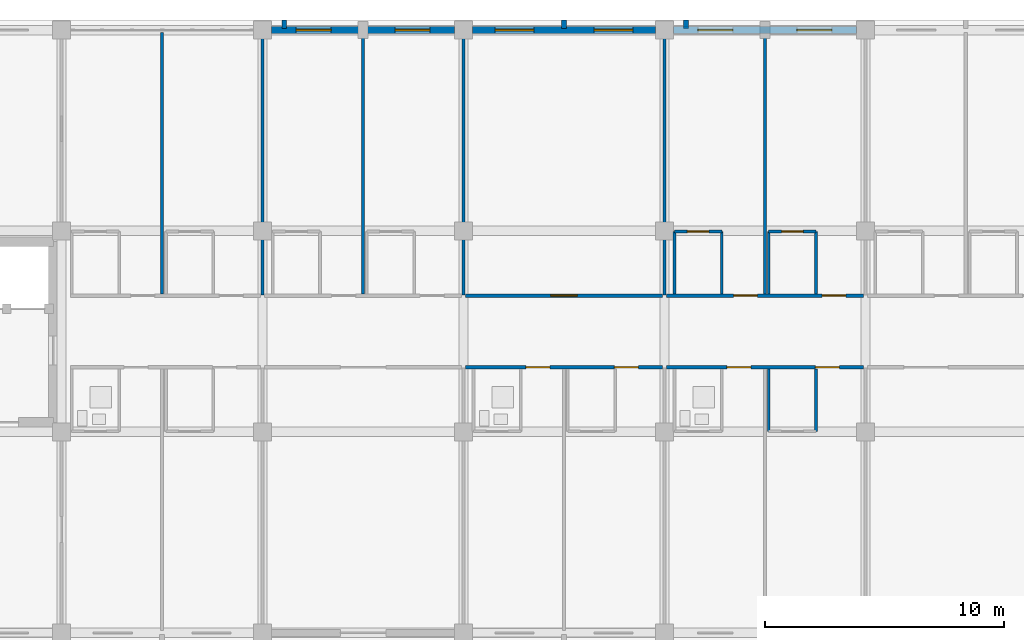
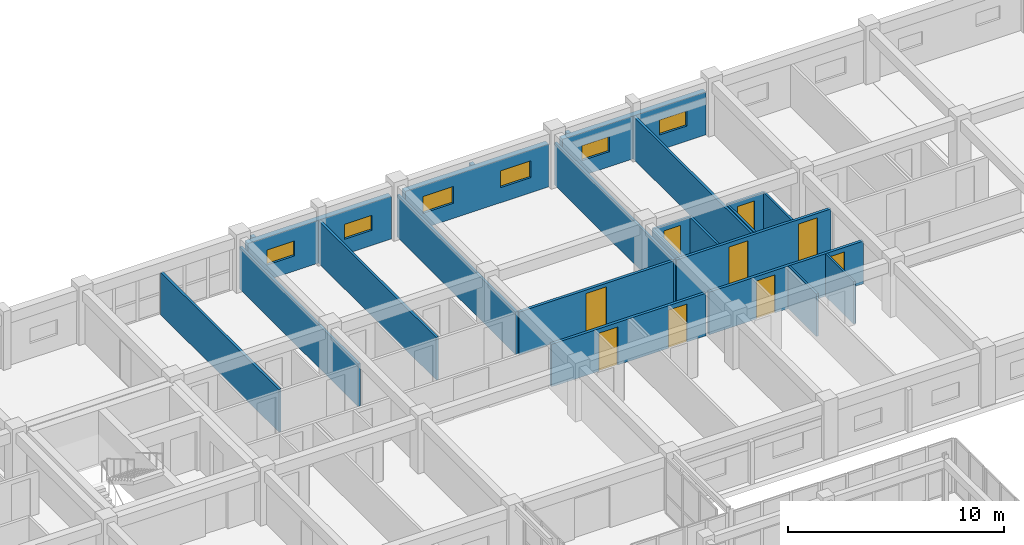
# One storey, part 180 of 200: 24 walls, 9 doors, 6 windows, 15 openings.
"""IFC4 building model written with IfcOpenShell, lengths in metres."""

import ifcopenshell
import ifcopenshell.guid

model = None  # the IFC model being written
_history = None  # IfcOwnerHistory: only IFC2X3 demands one
_inside = {}  # id of a spatial element -> (the spatial element, [elements in it])
_under = {}  # id of a project, library or spatial element -> (it, [spatial elements below it])
_declared = {}  # id of a project -> (the project, [libraries it declares])
_typed = {}  # id of a type object -> (the type object, [elements of that type])
_made_of = {}  # id of a material, layer set ... -> (it, [elements and type objects made of it])


def new_model(schema):
    """Start an empty IFC model of exactly this schema.

    Asked for "IFC4X3", IfcOpenShell would pick the latest addendum, in which some entities
    have other attributes; the version numbers below select the first issue.
    IFC2X3 requires an IfcOwnerHistory on every rooted entity: one is made here for all.
    """
    global model, _history
    if schema == "IFC4X3":
        model = ifcopenshell.file(schema_version=(4, 3, 0, 0))
    else:
        model = ifcopenshell.file(schema=schema)
    _inside.clear()
    _under.clear()
    _declared.clear()
    _typed.clear()
    _made_of.clear()
    _history = None
    if model.schema == "IFC2X3":
        org = make("IfcOrganization", Name="unknown")
        user = make(
            "IfcPersonAndOrganization",
            ThePerson=make("IfcPerson", FamilyName="unknown"),
            TheOrganization=org,
        )
        app = make(
            "IfcApplication",
            ApplicationDeveloper=org,
            Version="unknown",
            ApplicationFullName="unknown",
            ApplicationIdentifier="unknown",
        )
        _history = make(
            "IfcOwnerHistory",
            OwningUser=user,
            OwningApplication=app,
            ChangeAction="ADDED",
            CreationDate=0,
        )
    return model


def make(cls, **values):
    """One entity of the class cls with the attributes given. An attribute that is None is left unset."""
    return model.create_entity(
        cls, **{name: value for name, value in values.items() if value is not None}
    )


def rooted(cls, **values):
    """An entity with a GlobalId (a new one), such as an element, a storey or a relation."""
    return make(cls, GlobalId=ifcopenshell.guid.new(), OwnerHistory=_history, **values)


def si_unit(unit_type, name, prefix=None):
    """IfcSIUnit, for example si_unit("LENGTHUNIT", "METRE", prefix="MILLI")."""
    return make("IfcSIUnit", UnitType=unit_type, Prefix=prefix, Name=name)


def assignment(units):
    """IfcUnitAssignment: the units of a project."""
    return None if units is None else make("IfcUnitAssignment", Units=units)


def point(xyz):
    """IfcCartesianPoint."""
    return None if xyz is None else make("IfcCartesianPoint", Coordinates=xyz)


def direction(xyz):
    """IfcDirection."""
    return None if xyz is None else make("IfcDirection", DirectionRatios=xyz)


def frame(location, z_axis=None, x_axis=None):
    """IfcAxis2Placement3D, a coordinate frame: its origin and axes. An axis left out is left unset."""
    return make(
        "IfcAxis2Placement3D",
        Location=point(location),
        Axis=direction(z_axis),
        RefDirection=direction(x_axis),
    )


def frame_2d(location, x_axis=None):
    """IfcAxis2Placement2D, a coordinate frame in the plane: its origin and x axis."""
    return make(
        "IfcAxis2Placement2D", Location=point(location), RefDirection=direction(x_axis)
    )


def origin():
    """The frame at (0, 0, 0) with its axes left unset."""
    return frame((0.0, 0.0, 0.0))


def place(relative_to, where):
    """IfcLocalPlacement: puts the frame where relative to a parent placement (None: the world)."""
    return make(
        "IfcLocalPlacement", PlacementRelTo=relative_to, RelativePlacement=where
    )


def context(
    kind, dimensions, precision=None, world=None, true_north=None, identifier=None
):
    """IfcGeometricRepresentationContext, for example the 3D "Model" context."""
    return make(
        "IfcGeometricRepresentationContext",
        ContextIdentifier=identifier,
        ContextType=kind,
        CoordinateSpaceDimension=dimensions,
        Precision=precision,
        WorldCoordinateSystem=world,
        TrueNorth=true_north,
    )


def subcontext(parent, identifier, kind, view, scale=None):
    """IfcGeometricRepresentationSubContext, for example "Body" below "Model"."""
    return make(
        "IfcGeometricRepresentationSubContext",
        ContextIdentifier=identifier,
        ContextType=kind,
        ParentContext=parent,
        TargetScale=scale,
        TargetView=view,
    )


def project(units=None, contexts=None):
    """IfcProject with its units and contexts."""
    return rooted(
        "IfcProject",
        Name="project",
        RepresentationContexts=contexts,
        UnitsInContext=assignment(units),
    )


def spatial(cls, under=None, at=None, **own):
    """A site, building, storey or space (cls), placed at a placement, below another one or the project."""
    s = rooted(cls, ObjectPlacement=at, **own)
    if under is not None:
        _under.setdefault(under.id(), (under, []))[1].append(s)
    return s


def profile(cls, at=None, kind="AREA", **sizes):
    """A parametric profile (cls). Its sizes go by their IFC names, for example OverallWidth=200.0."""
    return make(cls, ProfileType=kind, Position=at, **sizes)


def rectangle(**sizes):
    """IfcRectangleProfileDef."""
    return profile("IfcRectangleProfileDef", **sizes)


def extrude(swept, where, along, depth):
    """IfcExtrudedAreaSolid: the profile swept, set in the frame where, extruded along a direction by depth."""
    return make(
        "IfcExtrudedAreaSolid",
        SweptArea=swept,
        Position=where,
        ExtrudedDirection=direction(along),
        Depth=depth,
    )


def shape(context_of_items, identifier, shape_type, items):
    """IfcShapeRepresentation: the items that make up one representation, for example the "Body"."""
    return make(
        "IfcShapeRepresentation",
        ContextOfItems=context_of_items,
        RepresentationIdentifier=identifier,
        RepresentationType=shape_type,
        Items=items,
    )


def material(Name=None, Category=None):
    """IfcMaterial."""
    return make("IfcMaterial", Name=Name, Category=Category)


def layer(
    of_material, thickness, ventilated=None, Name=None, Category=None, Priority=None
):
    """IfcMaterialLayer: one layer of a wall or slab, of a material (None: an air gap)."""
    return make(
        "IfcMaterialLayer",
        Material=of_material,
        LayerThickness=thickness,
        IsVentilated=ventilated,
        Name=Name,
        Category=Category,
        Priority=Priority,
    )


def layer_set(layers, Name=None):
    """IfcMaterialLayerSet."""
    return make("IfcMaterialLayerSet", MaterialLayers=layers, LayerSetName=Name)


def made_of(thing, what):
    """Note that an element or type object is made of a material, layer set ...; save() writes the relation."""
    if what is not None:
        _made_of.setdefault(what.id(), (what, []))[1].append(thing)
    return thing


def type_object(cls, material=None, **own):
    """A type object (cls), such as IfcWallType, which elements share."""
    return made_of(rooted(cls, **own), material)


def element(
    cls,
    number,
    at=None,
    inside=None,
    cuts=None,
    type_object=None,
    material=None,
    context=None,
    identifier="Body",
    shape_type=None,
    held_by="IfcProductDefinitionShape",
    body=None,
    shapes=None,
    **own,
):
    """One element of the class cls, such as IfcWall. Its Tag is "e" and its number.

    at: its placement. inside: the storey or other place that contains it. cuts: it is an
    opening in that element (IfcRelVoidsElement). A single representation is given by context,
    identifier, shape_type and body (its items); several are given by shapes. held_by: the class
    of the entity that holds the representations. save() writes the other relations.
    """
    e = rooted(cls, Tag="e%d" % number, ObjectPlacement=at, **own)
    if body is not None:
        shapes = [shape(context, identifier, shape_type, body)]
    if shapes is not None:
        e.Representation = make(held_by, Representations=shapes)
    if inside is not None:
        _inside.setdefault(inside.id(), (inside, []))[1].append(e)
    if cuts is not None:
        rooted(
            "IfcRelVoidsElement", RelatingBuildingElement=cuts, RelatedOpeningElement=e
        )
    if type_object is not None:
        _typed.setdefault(type_object.id(), (type_object, []))[1].append(e)
    return made_of(e, material)


def fill(opening, filler):
    """IfcRelFillsElement: the door or window that sits in an opening."""
    return rooted(
        "IfcRelFillsElement",
        RelatingOpeningElement=opening,
        RelatedBuildingElement=filler,
    )


def aggregate(whole, parts):
    """IfcRelAggregates: a whole, such as a stair, and the parts it consists of."""
    return rooted("IfcRelAggregates", RelatingObject=whole, RelatedObjects=parts)


def save(model, path):
    """Write the relations noted so far, then the file.

    IfcRelAggregates (storeys below a building ...), IfcRelContainedInSpatialStructure (elements
    in a storey), IfcRelDefinesByType, IfcRelAssociatesMaterial and IfcRelDeclares: one each for
    every whole, place, type object, material and project.
    """
    for whole, parts in _under.values():
        aggregate(whole, parts)
    for where, things in _inside.values():
        rooted(
            "IfcRelContainedInSpatialStructure",
            RelatedElements=things,
            RelatingStructure=where,
        )
    for kind, things in _typed.values():
        rooted("IfcRelDefinesByType", RelatedObjects=things, RelatingType=kind)
    for what, things in _made_of.values():
        rooted("IfcRelAssociatesMaterial", RelatedObjects=things, RelatingMaterial=what)
    for by, libraries in _declared.values():
        rooted("IfcRelDeclares", RelatingContext=by, RelatedDefinitions=libraries)
    model.write(path)


model = new_model("IFC4")

# Units and contexts
model_context = context("Model", 3, precision=1e-05, world=origin(), true_north=direction((0.0, 1.0)))
body_context = subcontext(model_context, "Body", "Model", "MODEL_VIEW")
ifc_project = project(units=[si_unit("LENGTHUNIT", "METRE"), si_unit("AREAUNIT", "SQUARE_METRE"), si_unit("VOLUMEUNIT", "CUBIC_METRE"), si_unit("PLANEANGLEUNIT", "RADIAN"), si_unit("MASSUNIT", "GRAM", prefix="KILO")], contexts=[model_context])

# Site, building, storey
site_placement = place(None, origin())
site = spatial("IfcSite", under=ifc_project, at=site_placement, CompositionType="ELEMENT")
building_placement = place(site_placement, origin())
building = spatial("IfcBuilding", under=site, at=building_placement, Name="Trelvath General Hospital", CompositionType="ELEMENT")
storey_placement = place(building_placement, frame((0.0, 0.0, 4.800048828125)))
storey = spatial("IfcBuildingStorey", under=building, at=storey_placement, Name="L01", CompositionType="ELEMENT", Elevation=4.800048828125)

# Walls
ifc_material_1 = material(Name="Precast concrete C40/50", Category="concrete")
ifc_layer_1 = layer(ifc_material_1, 0.199951171875)
ifc_layer_set_1 = layer_set([ifc_layer_1], Name="Precast concrete C40/50")
wall_type_1 = type_object("IfcWallType", Name="BriseSoleilRib 200", PredefinedType="ELEMENTEDWALL", material=ifc_layer_set_1)
for number, where, z_axis, x_axis, name in (
    (1, (101.706298828125, 117.675048828125, 0.0), (0.0, 0.0, 1.0), (0.0, 1.0, 0.0), "Precast Concrete Brise-Soleil Rib Fin L01-118"),
    (2, (113.39990234375, 117.675048828125, 0.0), (0.0, 0.0, 1.0), (0.0, 1.0, 0.0), "Precast Concrete Brise-Soleil Rib Fin L01-122"),
    (3, (118.506103515625, 117.675048828125, 0.0), (0.0, 0.0, 1.0), (0.0, 1.0, 0.0), "Precast Concrete Brise-Soleil Rib Fin L01-126"),
):
    element("IfcWall", number, at=place(storey_placement, frame(where, z_axis=z_axis, x_axis=x_axis)), inside=storey, type_object=wall_type_1, Name=name, PredefinedType="ELEMENTEDWALL", context=body_context, shape_type="SweptSolid", body=[
        extrude(rectangle(XDim=0.33984375, YDim=0.199951171875, at=frame_2d((0.169921875, 0.0))), origin(), (0.0, 0.0, 1.0), 2.39990234375),
    ])

# Wall, openings, doors
ifc_material_2 = material(Name="Gypsum acoustic steel-stud partition", Category="steel")
ifc_layer_2 = layer(ifc_material_2, 0.14990234375)
ifc_layer_set_2 = layer_set([ifc_layer_2], Name="Gypsum acoustic steel-stud partition")
wall_type_2 = type_object("IfcWallType", Name="ClinicalPartition 150", PredefinedType="PARTITIONING", material=ifc_layer_set_2)
wall_1_placement = place(storey_placement, frame((109.280029296875, 103.5, 0.0), z_axis=(0.0, 0.0, 1.0), x_axis=(1.0, 0.0, 0.0)))
wall_1 = element("IfcWall", 4, at=wall_1_placement, inside=storey, type_object=wall_type_2, Name="Corridor Partition L01-624", PredefinedType="PARTITIONING", context=body_context, shape_type="SweptSolid", body=[
    extrude(rectangle(XDim=8.239990234375, YDim=0.14990234375, at=frame_2d((4.1201171875, 0.0))), origin(), (0.0, 0.0, 1.0), 2.39990234375),
])
opening_1_placement = place(wall_1_placement, frame((2.530029296875, 0.0, 0.0)))
opening_1 = element("IfcOpeningElement", 5, at=opening_1_placement, cuts=wall_1, Name="Opening D-1-0594", PredefinedType="OPENING", context=body_context, shape_type="SweptSolid", body=[
    extrude(rectangle(XDim=1.0, YDim=2.14990234375, at=frame_2d((0.5, 1.074951171875))), frame((0.0, 0.0849609375, 0.0), z_axis=(0.0, -1.0, 0.0), x_axis=(1.0, 0.0, 0.0)), (0.0, 0.0, 1.0), 0.169921875),
])
opening_2_placement = place(wall_1_placement, frame((6.22998046875, 0.0, 0.0)))
opening_2 = element("IfcOpeningElement", 6, at=opening_2_placement, cuts=wall_1, Name="Opening D-1-0595", PredefinedType="OPENING", context=body_context, shape_type="SweptSolid", body=[
    extrude(rectangle(XDim=1.0, YDim=2.14990234375, at=frame_2d((0.5, 1.074951171875))), frame((0.0, 0.0849609375, 0.0), z_axis=(0.0, -1.0, 0.0), x_axis=(1.0, 0.0, 0.0)), (0.0, 0.0, 1.0), 0.169921875),
])
ifc_material_3 = material(Name="Acoustic hospital timber leaf", Category="wood")
door_type_1 = type_object("IfcDoorType", Name="Door Consult 1000x2150", OperationType="NOTDEFINED", PredefinedType="DOOR", material=ifc_material_3)
door_1_placement = place(opening_1_placement, origin())
door_1 = element("IfcDoor", 7, at=door_1_placement, inside=storey, type_object=door_type_1, Name="Patient Room Door L01-594", OperationType="SINGLE_SWING_RIGHT", OverallHeight=2.14990234375, OverallWidth=1.0, PredefinedType="DOOR", context=body_context, shape_type="SweptSolid", body=[
    extrude(rectangle(XDim=1.0, YDim=2.14990234375, at=frame_2d((0.5, 1.074951171875))), frame((0.0, 0.02490234375, 0.0), z_axis=(0.0, -1.0, 0.0), x_axis=(1.0, 0.0, 0.0)), (0.0, 0.0, 1.0), 0.050048828125),
])
fill(opening_1, door_1)
door_2_placement = place(opening_2_placement, origin())
door_2 = element("IfcDoor", 8, at=door_2_placement, inside=storey, type_object=door_type_1, Name="Patient Room Door L01-595", OperationType="SINGLE_SWING_LEFT", OverallHeight=2.14990234375, OverallWidth=1.0, PredefinedType="DOOR", context=body_context, shape_type="SweptSolid", body=[
    extrude(rectangle(XDim=1.0, YDim=2.14990234375, at=frame_2d((0.5, 1.074951171875))), frame((0.0, 0.02490234375, 0.0), z_axis=(0.0, -1.0, 0.0), x_axis=(1.0, 0.0, 0.0)), (0.0, 0.0, 1.0), 0.050048828125),
])
fill(opening_2, door_2)

# Wall, opening, door
wall_2_placement = place(storey_placement, frame((117.52001953125, 106.5, 0.0), z_axis=(0.0, 0.0, 1.0), x_axis=(-1.0, 0.0, 0.0)))
wall_2 = element("IfcWall", 9, at=wall_2_placement, inside=storey, type_object=wall_type_2, Name="Corridor Partition N L01-632", PredefinedType="PARTITIONING", context=body_context, shape_type="SweptSolid", body=[
    extrude(rectangle(XDim=8.239990234375, YDim=0.14990234375, at=frame_2d((4.1201171875, 0.0))), origin(), (0.0, 0.0, 1.0), 2.39990234375),
])
opening_3_placement = place(wall_2_placement, frame((3.570068359375, 0.0, 0.0)))
opening_3 = element("IfcOpeningElement", 10, at=opening_3_placement, cuts=wall_2, Name="Opening D-1-0598", PredefinedType="OPENING", context=body_context, shape_type="SweptSolid", body=[
    extrude(rectangle(XDim=1.10009765625, YDim=2.199951171875, at=frame_2d((0.550048828125, 1.10009765625))), frame((0.0, 0.0849609375, 0.0), z_axis=(0.0, -1.0, 0.0), x_axis=(1.0, 0.0, 0.0)), (0.0, 0.0, 1.0), 0.169921875),
])
ifc_material_4 = material(Name="Phenolic laboratory door")
door_type_2 = type_object("IfcDoorType", Name="Door Lab 1100x2200", OperationType="NOTDEFINED", PredefinedType="DOOR", material=ifc_material_4)
door_3_placement = place(opening_3_placement, origin())
door_3 = element("IfcDoor", 11, at=door_3_placement, inside=storey, type_object=door_type_2, Name="Clinical Room Door L01-598", OperationType="SINGLE_SWING_RIGHT", OverallHeight=2.199951171875, OverallWidth=1.10009765625, PredefinedType="DOOR", context=body_context, shape_type="SweptSolid", body=[
    extrude(rectangle(XDim=1.10009765625, YDim=2.199951171875, at=frame_2d((0.550048828125, 1.10009765625))), frame((0.0, 0.02490234375, 0.0), z_axis=(0.0, -1.0, 0.0), x_axis=(1.0, 0.0, 0.0)), (0.0, 0.0, 1.0), 0.050048828125),
])
fill(opening_3, door_3)

# Wall, openings, doors
wall_3_placement = place(storey_placement, frame((117.679931640625, 103.5, 0.0), z_axis=(0.0, 0.0, 1.0), x_axis=(1.0, 0.0, 0.0)))
wall_3 = element("IfcWall", 12, at=wall_3_placement, inside=storey, type_object=wall_type_2, Name="Corridor Partition L01-635", PredefinedType="PARTITIONING", context=body_context, shape_type="SweptSolid", body=[
    extrude(rectangle(XDim=8.239990234375, YDim=0.14990234375, at=frame_2d((4.1201171875, 0.0))), origin(), (0.0, 0.0, 1.0), 2.39990234375),
])
opening_4_placement = place(wall_3_placement, frame((2.530029296875, 0.0, 0.0)))
opening_4 = element("IfcOpeningElement", 13, at=opening_4_placement, cuts=wall_3, Name="Opening D-1-0599", PredefinedType="OPENING", context=body_context, shape_type="SweptSolid", body=[
    extrude(rectangle(XDim=1.0, YDim=2.14990234375, at=frame_2d((0.5, 1.074951171875))), frame((0.0, 0.0849609375, 0.0), z_axis=(0.0, -1.0, 0.0), x_axis=(1.0, 0.0, 0.0)), (0.0, 0.0, 1.0), 0.169921875),
])
opening_5_placement = place(wall_3_placement, frame((6.22998046875, 0.0, 0.0)))
opening_5 = element("IfcOpeningElement", 14, at=opening_5_placement, cuts=wall_3, Name="Opening D-1-0600", PredefinedType="OPENING", context=body_context, shape_type="SweptSolid", body=[
    extrude(rectangle(XDim=1.0, YDim=2.14990234375, at=frame_2d((0.5, 1.074951171875))), frame((0.0, 0.0849609375, 0.0), z_axis=(0.0, -1.0, 0.0), x_axis=(1.0, 0.0, 0.0)), (0.0, 0.0, 1.0), 0.169921875),
])
door_4_placement = place(opening_4_placement, origin())
door_4 = element("IfcDoor", 15, at=door_4_placement, inside=storey, type_object=door_type_1, Name="Patient Room Door L01-599", OperationType="SINGLE_SWING_LEFT", OverallHeight=2.14990234375, OverallWidth=1.0, PredefinedType="DOOR", context=body_context, shape_type="SweptSolid", body=[
    extrude(rectangle(XDim=1.0, YDim=2.14990234375, at=frame_2d((0.5, 1.074951171875))), frame((0.0, 0.02490234375, 0.0), z_axis=(0.0, -1.0, 0.0), x_axis=(1.0, 0.0, 0.0)), (0.0, 0.0, 1.0), 0.050048828125),
])
fill(opening_4, door_4)
door_5_placement = place(opening_5_placement, origin())
door_5 = element("IfcDoor", 16, at=door_5_placement, inside=storey, type_object=door_type_1, Name="Patient Room Door L01-600", OperationType="SINGLE_SWING_RIGHT", OverallHeight=2.14990234375, OverallWidth=1.0, PredefinedType="DOOR", context=body_context, shape_type="SweptSolid", body=[
    extrude(rectangle(XDim=1.0, YDim=2.14990234375, at=frame_2d((0.5, 1.074951171875))), frame((0.0, 0.02490234375, 0.0), z_axis=(0.0, -1.0, 0.0), x_axis=(1.0, 0.0, 0.0)), (0.0, 0.0, 1.0), 0.050048828125),
])
fill(opening_5, door_5)

wall_4_placement = place(storey_placement, frame((125.919921875, 106.5, 0.0), z_axis=(0.0, 0.0, 1.0), x_axis=(-1.0, 0.0, 0.0)))
wall_4 = element("IfcWall", 17, at=wall_4_placement, inside=storey, type_object=wall_type_2, Name="Corridor Partition N L01-643", PredefinedType="PARTITIONING", context=body_context, shape_type="SweptSolid", body=[
    extrude(rectangle(XDim=8.239990234375, YDim=0.14990234375, at=frame_2d((4.1201171875, 0.0))), origin(), (0.0, 0.0, 1.0), 2.39990234375),
])
opening_6_placement = place(wall_4_placement, frame((0.72998046875, 0.0, 0.0)))
opening_6 = element("IfcOpeningElement", 18, at=opening_6_placement, cuts=wall_4, Name="Opening D-1-0603", PredefinedType="OPENING", context=body_context, shape_type="SweptSolid", body=[
    extrude(rectangle(XDim=1.0, YDim=2.14990234375, at=frame_2d((0.5, 1.074951171875))), frame((0.0, 0.0849609375, 0.0), z_axis=(0.0, -1.0, 0.0), x_axis=(1.0, 0.0, 0.0)), (0.0, 0.0, 1.0), 0.169921875),
])
opening_7_placement = place(wall_4_placement, frame((4.429931640625, 0.0, 0.0)))
opening_7 = element("IfcOpeningElement", 19, at=opening_7_placement, cuts=wall_4, Name="Opening D-1-0604", PredefinedType="OPENING", context=body_context, shape_type="SweptSolid", body=[
    extrude(rectangle(XDim=1.0, YDim=2.14990234375, at=frame_2d((0.5, 1.074951171875))), frame((0.0, 0.0849609375, 0.0), z_axis=(0.0, -1.0, 0.0), x_axis=(1.0, 0.0, 0.0)), (0.0, 0.0, 1.0), 0.169921875),
])
door_6_placement = place(opening_6_placement, origin())
door_6 = element("IfcDoor", 20, at=door_6_placement, inside=storey, type_object=door_type_1, Name="Patient Room Door N L01-603", OperationType="SINGLE_SWING_LEFT", OverallHeight=2.14990234375, OverallWidth=1.0, PredefinedType="DOOR", context=body_context, shape_type="SweptSolid", body=[
    extrude(rectangle(XDim=1.0, YDim=2.14990234375, at=frame_2d((0.5, 1.074951171875))), frame((0.0, 0.02490234375, 0.0), z_axis=(0.0, -1.0, 0.0), x_axis=(1.0, 0.0, 0.0)), (0.0, 0.0, 1.0), 0.050048828125),
])
fill(opening_6, door_6)
door_7_placement = place(opening_7_placement, origin())
door_7 = element("IfcDoor", 21, at=door_7_placement, inside=storey, type_object=door_type_1, Name="Patient Room Door N L01-604", OperationType="SINGLE_SWING_LEFT", OverallHeight=2.14990234375, OverallWidth=1.0, PredefinedType="DOOR", context=body_context, shape_type="SweptSolid", body=[
    extrude(rectangle(XDim=1.0, YDim=2.14990234375, at=frame_2d((0.5, 1.074951171875))), frame((0.0, 0.02490234375, 0.0), z_axis=(0.0, -1.0, 0.0), x_axis=(1.0, 0.0, 0.0)), (0.0, 0.0, 1.0), 0.050048828125),
])
fill(opening_7, door_7)

# Walls
ifc_material_5 = material(Name="Moisture-resistant tile partition")
ifc_layer_3 = layer(ifc_material_5, 0.110107421875)
ifc_layer_set_3 = layer_set([ifc_layer_3], Name="Moisture-resistant tile partition")
wall_type_3 = type_object("IfcWallType", Name="EnSuiteWetWall 110", PredefinedType="PARTITIONING", material=ifc_layer_set_3)
for number, where, z_axis, x_axis, name in (
    (22, (121.9599609375, 100.820068359375, 0.0), (0.0, 0.0, 1.0), (0.0, 1.0, 0.0), "En-Suite W Wall L01-640"),
    (23, (123.93994140625, 100.820068359375, 0.0), (0.0, 0.0, 1.0), (0.0, 1.0, 0.0), "En-Suite E Wall L01-641"),
    (24, (118.02001953125, 106.570068359375, 0.0), (0.0, 0.0, 1.0), (0.0, 1.0, 0.0), "En-Suite W Wall N L01-645"),
    (25, (120.0, 106.570068359375, 0.0), (0.0, 0.0, 1.0), (0.0, 1.0, 0.0), "En-Suite E Wall N L01-646"),
):
    element("IfcWall", number, at=place(storey_placement, frame(where, z_axis=z_axis, x_axis=x_axis)), inside=storey, type_object=wall_type_3, Name=name, PredefinedType="PARTITIONING", context=body_context, shape_type="SweptSolid", body=[
        extrude(rectangle(XDim=2.60986328125, YDim=0.110107421875, at=frame_2d((1.304931640625, 0.0))), origin(), (0.0, 0.0, 1.0), 2.39990234375),
    ])

# Wall, opening, door
wall_5_placement = place(storey_placement, frame((118.02001953125, 109.179931640625, 0.0), z_axis=(0.0, 0.0, 1.0), x_axis=(1.0, 0.0, 0.0)))
wall_5 = element("IfcWall", 26, at=wall_5_placement, inside=storey, type_object=wall_type_3, Name="En-Suite Bathroom N Partition L01-647", PredefinedType="PARTITIONING", context=body_context, shape_type="SweptSolid", body=[
    extrude(rectangle(XDim=1.97998046875, YDim=0.110107421875, at=frame_2d((0.989990234375, 0.0))), origin(), (0.0, 0.0, 1.0), 2.39990234375),
])
opening_8_placement = place(wall_5_placement, frame((0.5400390625, 0.0, 0.0)))
opening_8 = element("IfcOpeningElement", 27, at=opening_8_placement, cuts=wall_5, Name="Opening D-1-0605", PredefinedType="OPENING", context=body_context, shape_type="SweptSolid", body=[
    extrude(rectangle(XDim=0.89990234375, YDim=2.10009765625, at=frame_2d((0.449951171875, 1.050048828125))), frame((0.0, 0.06494140625, 0.0), z_axis=(0.0, -1.0, 0.0), x_axis=(1.0, 0.0, 0.0)), (0.0, 0.0, 1.0), 0.130126953125),
])
ifc_material_6 = material(Name="Moisture-sealed timber leaf", Category="wood")
door_type_3 = type_object("IfcDoorType", Name="Door EnSuite 900x2100", OperationType="NOTDEFINED", PredefinedType="DOOR", material=ifc_material_6)
door_8_placement = place(opening_8_placement, origin())
door_8 = element("IfcDoor", 28, at=door_8_placement, inside=storey, type_object=door_type_3, Name="En-Suite Bathroom N Door L01-605", OperationType="SINGLE_SWING_RIGHT", OverallHeight=2.10009765625, OverallWidth=0.89990234375, PredefinedType="DOOR", context=body_context, shape_type="SweptSolid", body=[
    extrude(rectangle(XDim=0.89990234375, YDim=2.10009765625, at=frame_2d((0.449951171875, 1.050048828125))), frame((0.0, 0.02490234375, 0.0), z_axis=(0.0, -1.0, 0.0), x_axis=(1.0, 0.0, 0.0)), (0.0, 0.0, 1.0), 0.050048828125),
])
fill(opening_8, door_8)

# Walls
for number, where, z_axis, x_axis, name in (
    (29, (121.9599609375, 106.570068359375, 0.0), (0.0, 0.0, 1.0), (0.0, 1.0, 0.0), "En-Suite W Wall N L01-648"),
    (30, (123.93994140625, 106.570068359375, 0.0), (0.0, 0.0, 1.0), (0.0, 1.0, 0.0), "En-Suite E Wall N L01-649"),
):
    element("IfcWall", number, at=place(storey_placement, frame(where, z_axis=z_axis, x_axis=x_axis)), inside=storey, type_object=wall_type_3, Name=name, PredefinedType="PARTITIONING", context=body_context, shape_type="SweptSolid", body=[
        extrude(rectangle(XDim=2.60986328125, YDim=0.110107421875, at=frame_2d((1.304931640625, 0.0))), origin(), (0.0, 0.0, 1.0), 2.39990234375),
    ])

# Wall, opening, door
wall_6_placement = place(storey_placement, frame((121.9599609375, 109.179931640625, 0.0), z_axis=(0.0, 0.0, 1.0), x_axis=(1.0, 0.0, 0.0)))
wall_6 = element("IfcWall", 31, at=wall_6_placement, inside=storey, type_object=wall_type_3, Name="En-Suite Bathroom N Partition L01-650", PredefinedType="PARTITIONING", context=body_context, shape_type="SweptSolid", body=[
    extrude(rectangle(XDim=1.97998046875, YDim=0.110107421875, at=frame_2d((0.989990234375, 0.0))), origin(), (0.0, 0.0, 1.0), 2.39990234375),
])
opening_9_placement = place(wall_6_placement, frame((0.5400390625, 0.0, 0.0)))
opening_9 = element("IfcOpeningElement", 32, at=opening_9_placement, cuts=wall_6, Name="Opening D-1-0606", PredefinedType="OPENING", context=body_context, shape_type="SweptSolid", body=[
    extrude(rectangle(XDim=0.89990234375, YDim=2.10009765625, at=frame_2d((0.449951171875, 1.050048828125))), frame((0.0, 0.06494140625, 0.0), z_axis=(0.0, -1.0, 0.0), x_axis=(1.0, 0.0, 0.0)), (0.0, 0.0, 1.0), 0.130126953125),
])
door_9_placement = place(opening_9_placement, origin())
door_9 = element("IfcDoor", 33, at=door_9_placement, inside=storey, type_object=door_type_3, Name="En-Suite Bathroom N Door L01-606", OperationType="SINGLE_SWING_LEFT", OverallHeight=2.10009765625, OverallWidth=0.89990234375, PredefinedType="DOOR", context=body_context, shape_type="SweptSolid", body=[
    extrude(rectangle(XDim=0.89990234375, YDim=2.10009765625, at=frame_2d((0.449951171875, 1.050048828125))), frame((0.0, 0.02490234375, 0.0), z_axis=(0.0, -1.0, 0.0), x_axis=(1.0, 0.0, 0.0)), (0.0, 0.0, 1.0), 0.050048828125),
])
fill(opening_9, door_9)

# Wall, openings, windows
ifc_material_7 = material(Name="Concrete C35/45", Category="concrete")
ifc_layer_4 = layer(ifc_material_7, 0.2900390625)
ifc_layer_set_4 = layer_set([ifc_layer_4], Name="Concrete C35/45")
wall_type_4 = type_object("IfcWallType", Name="ExtBushHammeredWall 290", PredefinedType="SOLIDWALL", material=ifc_layer_set_4)
wall_7_placement = place(storey_placement, frame((101.169921875, 117.60009765625, 0.0), z_axis=(0.0, 0.0, 1.0), x_axis=(1.0, 0.0, 0.0)))
wall_7 = element("IfcWall", 34, at=wall_7_placement, inside=storey, type_object=wall_type_4, Name="Exterior Concrete Wall L01-175", PredefinedType="SOLIDWALL", context=body_context, shape_type="SweptSolid", body=[
    extrude(rectangle(XDim=7.66015625, YDim=0.2900390625, at=frame_2d((3.830078125, 0.0))), origin(), (0.0, 0.0, 1.0), 2.419921875),
])
opening_10_placement = place(wall_7_placement, frame((1.03173828125, 0.0, 0.85009765625)))
opening_10 = element("IfcOpeningElement", 35, at=opening_10_placement, cuts=wall_7, Name="Opening WN-1-251", PredefinedType="OPENING", context=body_context, shape_type="SweptSolid", body=[
    extrude(rectangle(XDim=1.4599609375, YDim=0.85009765625, at=frame_2d((0.72998046875, 0.425048828125))), frame((0.0, 0.155029296875, 0.0), z_axis=(0.0, -1.0, 0.0), x_axis=(1.0, 0.0, 0.0)), (0.0, 0.0, 1.0), 0.31005859375),
])
opening_11_placement = place(wall_7_placement, frame((5.168212890625, 0.0, 0.85009765625)))
opening_11 = element("IfcOpeningElement", 36, at=opening_11_placement, cuts=wall_7, Name="Opening WN-1-252", PredefinedType="OPENING", context=body_context, shape_type="SweptSolid", body=[
    extrude(rectangle(XDim=1.4599609375, YDim=0.85009765625, at=frame_2d((0.72998046875, 0.425048828125))), frame((0.0, 0.155029296875, 0.0), z_axis=(0.0, -1.0, 0.0), x_axis=(1.0, 0.0, 0.0)), (0.0, 0.0, 1.0), 0.31005859375),
])
ifc_material_8 = material(Name="Low-E laminated glass", Category="glass")
window_type_1 = type_object("IfcWindowType", Name="Window ImagingClere 1460x850", PartitioningType="DOUBLE_PANEL_VERTICAL", PredefinedType="WINDOW", material=ifc_material_8)
window_1_placement = place(opening_10_placement, origin())
window_1 = element("IfcWindow", 37, at=window_1_placement, inside=storey, type_object=window_type_1, Name="Solar Reveal Window L01-251", OverallHeight=0.85009765625, OverallWidth=1.4599609375, PartitioningType="SINGLE_PANEL", PredefinedType="WINDOW", context=body_context, shape_type="SweptSolid", body=[
    extrude(rectangle(XDim=1.4599609375, YDim=0.85009765625, at=frame_2d((0.72998046875, 0.425048828125))), frame((0.0, 0.030029296875, 0.0), z_axis=(0.0, -1.0, 0.0), x_axis=(1.0, 0.0, 0.0)), (0.0, 0.0, 1.0), 0.06005859375),
])
fill(opening_10, window_1)
window_2_placement = place(opening_11_placement, origin())
window_2 = element("IfcWindow", 38, at=window_2_placement, inside=storey, type_object=window_type_1, Name="Solar Reveal Window L01-252", OverallHeight=0.85009765625, OverallWidth=1.4599609375, PartitioningType="SINGLE_PANEL", PredefinedType="WINDOW", context=body_context, shape_type="SweptSolid", body=[
    extrude(rectangle(XDim=1.4599609375, YDim=0.85009765625, at=frame_2d((0.72998046875, 0.425048828125))), frame((0.0, 0.030029296875, 0.0), z_axis=(0.0, -1.0, 0.0), x_axis=(1.0, 0.0, 0.0)), (0.0, 0.0, 1.0), 0.06005859375),
])
fill(opening_11, window_2)

wall_8_placement = place(storey_placement, frame((109.570068359375, 117.60009765625, 0.0), z_axis=(0.0, 0.0, 1.0), x_axis=(1.0, 0.0, 0.0)))
wall_8 = element("IfcWall", 39, at=wall_8_placement, inside=storey, type_object=wall_type_4, Name="Exterior Concrete Wall L01-179", PredefinedType="SOLIDWALL", context=body_context, shape_type="SweptSolid", body=[
    extrude(rectangle(XDim=7.659912109375, YDim=0.2900390625, at=frame_2d((3.830078125, 0.0))), origin(), (0.0, 0.0, 1.0), 2.419921875),
])
opening_12_placement = place(wall_8_placement, frame((0.951904296875, 0.0, 0.85009765625)))
opening_12 = element("IfcOpeningElement", 40, at=opening_12_placement, cuts=wall_8, Name="Opening WN-1-259", PredefinedType="OPENING", context=body_context, shape_type="SweptSolid", body=[
    extrude(rectangle(XDim=1.6201171875, YDim=0.949951171875, at=frame_2d((0.81005859375, 0.47509765625))), frame((0.0, 0.155029296875, 0.0), z_axis=(0.0, -1.0, 0.0), x_axis=(1.0, 0.0, 0.0)), (0.0, 0.0, 1.0), 0.31005859375),
])
opening_13_placement = place(wall_8_placement, frame((5.088134765625, 0.0, 0.85009765625)))
opening_13 = element("IfcOpeningElement", 41, at=opening_13_placement, cuts=wall_8, Name="Opening WN-1-260", PredefinedType="OPENING", context=body_context, shape_type="SweptSolid", body=[
    extrude(rectangle(XDim=1.6201171875, YDim=0.949951171875, at=frame_2d((0.81005859375, 0.47509765625))), frame((0.0, 0.155029296875, 0.0), z_axis=(0.0, -1.0, 0.0), x_axis=(1.0, 0.0, 0.0)), (0.0, 0.0, 1.0), 0.31005859375),
])
ifc_material_9 = material(Name="Low-E laminated glass", Category="glass")
window_type_2 = type_object("IfcWindowType", Name="Window EmergencyClere 1620x950", PartitioningType="DOUBLE_PANEL_VERTICAL", PredefinedType="WINDOW", material=ifc_material_9)
window_3_placement = place(opening_12_placement, origin())
window_3 = element("IfcWindow", 42, at=window_3_placement, inside=storey, type_object=window_type_2, Name="Solar Reveal Window L01-259", OverallHeight=0.949951171875, OverallWidth=1.6201171875, PartitioningType="SINGLE_PANEL", PredefinedType="WINDOW", context=body_context, shape_type="SweptSolid", body=[
    extrude(rectangle(XDim=1.6201171875, YDim=0.949951171875, at=frame_2d((0.81005859375, 0.47509765625))), frame((0.0, 0.030029296875, 0.0), z_axis=(0.0, -1.0, 0.0), x_axis=(1.0, 0.0, 0.0)), (0.0, 0.0, 1.0), 0.06005859375),
])
fill(opening_12, window_3)
window_4_placement = place(opening_13_placement, origin())
window_4 = element("IfcWindow", 43, at=window_4_placement, inside=storey, type_object=window_type_2, Name="Solar Reveal Window L01-260", OverallHeight=0.949951171875, OverallWidth=1.6201171875, PartitioningType="SINGLE_PANEL", PredefinedType="WINDOW", context=body_context, shape_type="SweptSolid", body=[
    extrude(rectangle(XDim=1.6201171875, YDim=0.949951171875, at=frame_2d((0.81005859375, 0.47509765625))), frame((0.0, 0.030029296875, 0.0), z_axis=(0.0, -1.0, 0.0), x_axis=(1.0, 0.0, 0.0)), (0.0, 0.0, 1.0), 0.06005859375),
])
fill(opening_13, window_4)

wall_9_placement = place(storey_placement, frame((117.969970703125, 117.60009765625, 0.0), z_axis=(0.0, 0.0, 1.0), x_axis=(1.0, 0.0, 0.0)))
wall_9 = element("IfcWall", 44, at=wall_9_placement, inside=storey, type_object=wall_type_4, Name="Exterior Concrete Wall L01-183", PredefinedType="SOLIDWALL", context=body_context, shape_type="SweptSolid", body=[
    extrude(rectangle(XDim=7.659912109375, YDim=0.2900390625, at=frame_2d((3.830078125, 0.0))), origin(), (0.0, 0.0, 1.0), 2.419921875),
])
opening_14_placement = place(wall_9_placement, frame((1.03173828125, 0.0, 0.85009765625)))
opening_14 = element("IfcOpeningElement", 45, at=opening_14_placement, cuts=wall_9, Name="Opening WN-1-267", PredefinedType="OPENING", context=body_context, shape_type="SweptSolid", body=[
    extrude(rectangle(XDim=1.4599609375, YDim=0.85009765625, at=frame_2d((0.72998046875, 0.425048828125))), frame((0.0, 0.155029296875, 0.0), z_axis=(0.0, -1.0, 0.0), x_axis=(1.0, 0.0, 0.0)), (0.0, 0.0, 1.0), 0.31005859375),
])
opening_15_placement = place(wall_9_placement, frame((5.168212890625, 0.0, 0.85009765625)))
opening_15 = element("IfcOpeningElement", 46, at=opening_15_placement, cuts=wall_9, Name="Opening WN-1-268", PredefinedType="OPENING", context=body_context, shape_type="SweptSolid", body=[
    extrude(rectangle(XDim=1.4599609375, YDim=0.85009765625, at=frame_2d((0.72998046875, 0.425048828125))), frame((0.0, 0.155029296875, 0.0), z_axis=(0.0, -1.0, 0.0), x_axis=(1.0, 0.0, 0.0)), (0.0, 0.0, 1.0), 0.31005859375),
])
window_5_placement = place(opening_14_placement, origin())
window_5 = element("IfcWindow", 47, at=window_5_placement, inside=storey, type_object=window_type_1, Name="Solar Reveal Window L01-267", OverallHeight=0.85009765625, OverallWidth=1.4599609375, PartitioningType="SINGLE_PANEL", PredefinedType="WINDOW", context=body_context, shape_type="SweptSolid", body=[
    extrude(rectangle(XDim=1.4599609375, YDim=0.85009765625, at=frame_2d((0.72998046875, 0.425048828125))), frame((0.0, 0.030029296875, 0.0), z_axis=(0.0, -1.0, 0.0), x_axis=(1.0, 0.0, 0.0)), (0.0, 0.0, 1.0), 0.06005859375),
])
fill(opening_14, window_5)
window_6_placement = place(opening_15_placement, origin())
window_6 = element("IfcWindow", 48, at=window_6_placement, inside=storey, type_object=window_type_1, Name="Solar Reveal Window L01-268", OverallHeight=0.85009765625, OverallWidth=1.4599609375, PartitioningType="SINGLE_PANEL", PredefinedType="WINDOW", context=body_context, shape_type="SweptSolid", body=[
    extrude(rectangle(XDim=1.4599609375, YDim=0.85009765625, at=frame_2d((0.72998046875, 0.425048828125))), frame((0.0, 0.030029296875, 0.0), z_axis=(0.0, -1.0, 0.0), x_axis=(1.0, 0.0, 0.0)), (0.0, 0.0, 1.0), 0.06005859375),
])
fill(opening_15, window_6)

# Walls
ifc_material_10 = material(Name="Gypsum acoustic steel-stud partition", Category="steel")
ifc_layer_5 = layer(ifc_material_10, 0.1298828125)
ifc_layer_set_5 = layer_set([ifc_layer_5], Name="Gypsum acoustic steel-stud partition")
wall_type_5 = type_object("IfcWallType", Name="WardPartition 130", PredefinedType="PARTITIONING", material=ifc_layer_set_5)
wall_10_placement = place(storey_placement, frame((96.60009765625, 106.570068359375, 0.0), z_axis=(0.0, 0.0, 1.0), x_axis=(0.0, 1.0, 0.0)))
element("IfcWall", 49, at=wall_10_placement, inside=storey, type_object=wall_type_5, Name="Room Dividing Partition N L01-604", PredefinedType="PARTITIONING", context=body_context, shape_type="SweptSolid", body=[
    extrude(rectangle(XDim=10.929931640625, YDim=0.1298828125, at=frame_2d((5.46484375, 0.0))), origin(), (0.0, 0.0, 1.0), 2.39990234375),
])
wall_11_placement = place(storey_placement, frame((100.800048828125, 106.52001953125, 0.0), z_axis=(0.0, 0.0, 1.0), x_axis=(0.0, 1.0, 0.0)))
element("IfcWall", 50, at=wall_11_placement, inside=storey, type_object=wall_type_5, Name="Inter-Bay Ward Partition N L01-612", PredefinedType="PARTITIONING", context=body_context, shape_type="SweptSolid", body=[
    extrude(rectangle(XDim=10.93994140625, YDim=0.1298828125, at=frame_2d((5.469970703125, 0.0))), origin(), (0.0, 0.0, 1.0), 2.39990234375),
])
wall_12_placement = place(storey_placement, frame((105.0, 106.570068359375, 0.0), z_axis=(0.0, 0.0, 1.0), x_axis=(0.0, 1.0, 0.0)))
element("IfcWall", 51, at=wall_12_placement, inside=storey, type_object=wall_type_5, Name="Room Dividing Partition N L01-615", PredefinedType="PARTITIONING", context=body_context, shape_type="SweptSolid", body=[
    extrude(rectangle(XDim=10.929931640625, YDim=0.1298828125, at=frame_2d((5.46484375, 0.0))), origin(), (0.0, 0.0, 1.0), 2.39990234375),
])
for number, where, z_axis, x_axis, name in (
    (52, (109.199951171875, 106.52001953125, 0.0), (0.0, 0.0, 1.0), (0.0, 1.0, 0.0), "Inter-Bay Ward Partition N L01-623"),
    (53, (117.60009765625, 106.52001953125, 0.0), (0.0, 0.0, 1.0), (0.0, 1.0, 0.0), "Inter-Bay Ward Partition N L01-634"),
):
    element("IfcWall", number, at=place(storey_placement, frame(where, z_axis=z_axis, x_axis=x_axis)), inside=storey, type_object=wall_type_5, Name=name, PredefinedType="PARTITIONING", context=body_context, shape_type="SweptSolid", body=[
        extrude(rectangle(XDim=10.93994140625, YDim=0.1298828125, at=frame_2d((5.469970703125, 0.0))), origin(), (0.0, 0.0, 1.0), 2.39990234375),
    ])
wall_13_placement = place(storey_placement, frame((121.800048828125, 106.570068359375, 0.0), z_axis=(0.0, 0.0, 1.0), x_axis=(0.0, 1.0, 0.0)))
element("IfcWall", 54, at=wall_13_placement, inside=storey, type_object=wall_type_5, Name="Room Dividing Partition N L01-644", PredefinedType="PARTITIONING", context=body_context, shape_type="SweptSolid", body=[
    extrude(rectangle(XDim=10.929931640625, YDim=0.1298828125, at=frame_2d((5.46484375, 0.0))), origin(), (0.0, 0.0, 1.0), 2.39990234375),
])

save(model, "model.ifc")
